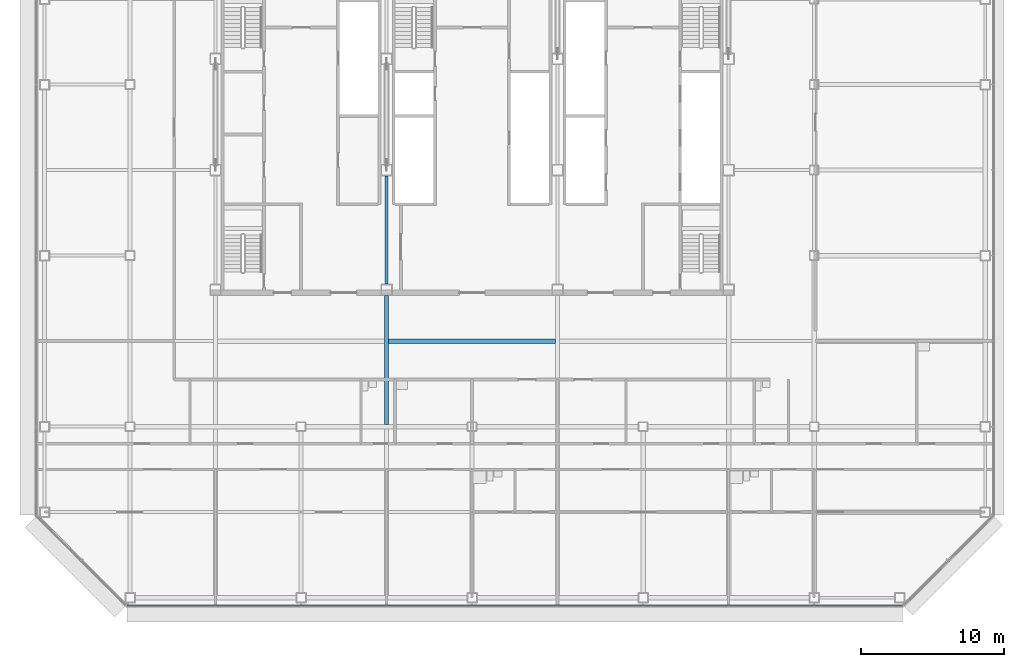
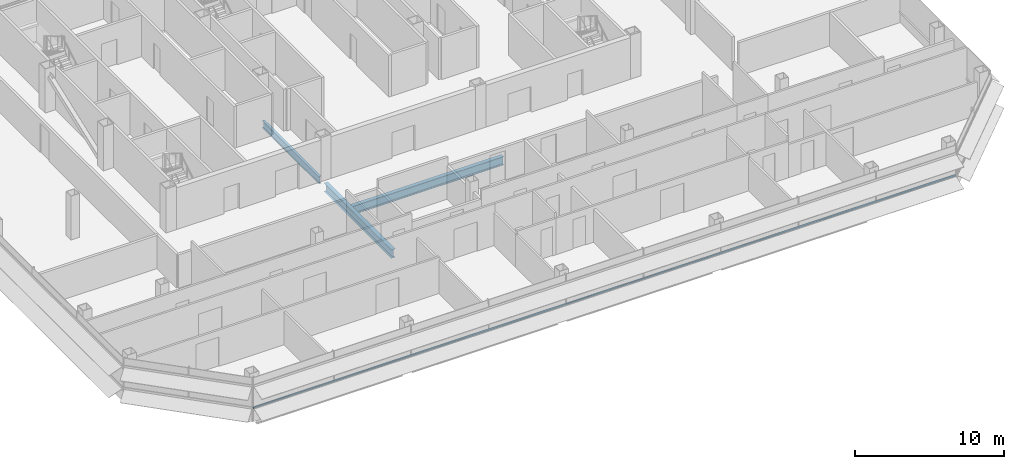
# One storey, part 7 of 24: 3 beams, 1 member, 1 element without a shape of its own.
"""IFC4 building model written with IfcOpenShell, lengths in metres."""

from ifc_helpers import new_model, si_unit, direction, frame, origin, origin_2d, place, context, subcontext, project, spatial, rectangle, i_section, extrude, material, material_profile, profile_set, type_object, element, aggregate, save


model = new_model("IFC4")

# Units and contexts
model_context = context("Model", 3, precision=1e-05, world=origin(), true_north=direction((0.0, 1.0)))
body_context = subcontext(model_context, "Body", "Model", "MODEL_VIEW")
ifc_project = project(units=[si_unit("LENGTHUNIT", "METRE"), si_unit("AREAUNIT", "SQUARE_METRE"), si_unit("VOLUMEUNIT", "CUBIC_METRE"), si_unit("PLANEANGLEUNIT", "RADIAN"), si_unit("MASSUNIT", "GRAM", prefix="KILO")], contexts=[model_context])

# Site, building, storey
site_placement = place(None, origin())
site = spatial("IfcSite", under=ifc_project, at=site_placement, CompositionType="ELEMENT")
building_placement = place(site_placement, origin())
building = spatial("IfcBuilding", under=site, at=building_placement, Name="Sorahane Residences", CompositionType="ELEMENT")
storey_placement = place(building_placement, frame((0.0, 0.0, 174.39990234375)))
storey = spatial("IfcBuildingStorey", under=building, at=storey_placement, Name="L40", CompositionType="ELEMENT", Elevation=174.39990234375)

# Curtain wall, member
ifc_material_1 = material(Name="Dark low-e glass and black anodised aluminium", Category="aluminium")
curtain_wall_type = type_object("IfcCurtainWallType", Name="Curtain wall CW-1 Typical unitised wall", PredefinedType="NOTDEFINED", material=ifc_material_1)
curtain_wall_placement = place(storey_placement, origin())
curtain_wall = element("IfcCurtainWall", 1, at=curtain_wall_placement, inside=storey, type_object=curtain_wall_type, Name="CW-1 curtain wall L40 S1", PredefinedType="NOTDEFINED")
ifc_material_2 = material(Name="Black anodised aluminium", Category="aluminium")
ifc_material_profile_1 = material_profile(ifc_material_2, rectangle(XDim=0.10009765625, YDim=0.06005859375, at=origin_2d()), Name="Curtain wall transom CW-1 black anodised aluminium 60x100")
ifc_profile_set_1 = profile_set([ifc_material_profile_1], Name="Black anodised aluminium")
member_type = type_object("IfcMemberType", Name="Curtain wall transom CW-1 black anodised aluminium 60x100", PredefinedType="USERDEFINED", material=ifc_profile_set_1)
member_placement = place(storey_placement, frame((-0.198486328125, -0.530029296875, 0.900146484375), z_axis=(1.0, 0.0, 0.0), x_axis=(0.0, 1.0, 0.0)))
member = element("IfcMember", 2, at=member_placement, type_object=member_type, Name="CW-1 transom L40 S1", ObjectType="TRANSOM", PredefinedType="USERDEFINED", context=body_context, shape_type="SweptSolid", body=[
    extrude(rectangle(XDim=0.10009765625, YDim=0.06005859375, at=origin_2d()), origin(), (0.0, 0.0, 1.0), 54.39697265625),
])
aggregate(curtain_wall, [member])

# Beams
ifc_material_3 = material(Name="Steel Q355B", Category="steel")
ifc_material_profile_2 = material_profile(ifc_material_3, i_section(OverallWidth=0.199951171875, OverallDepth=0.60009765625, WebThickness=0.010986328125, FlangeThickness=0.01708984375, FilletRadius=0.02392578125, at=origin_2d()), Name="HN 600x200x11x17")
ifc_profile_set_2 = profile_set([ifc_material_profile_2], Name="Steel Q355B")
beam_type_1 = type_object("IfcBeamType", Name="Steel floor beam HN 600x200x11x17 Q355B", PredefinedType="BEAM", material=ifc_profile_set_2)
beam_1_placement = place(storey_placement, frame((18.0, 22.0, -0.47998046875), z_axis=(0.0, 1.0, 0.0), x_axis=(-1.0, 0.0, 0.0)))
element("IfcBeam", 3, at=beam_1_placement, inside=storey, type_object=beam_type_1, Name="Beam L40 038", PredefinedType="BEAM", context=body_context, shape_type="SweptSolid", body=[
    extrude(i_section(OverallWidth=0.199951171875, OverallDepth=0.60009765625, WebThickness=0.010986328125, FlangeThickness=0.01708984375, FilletRadius=0.02392578125, at=origin_2d()), origin(), (0.0, 0.0, 1.0), 7.60009765625),
])
ifc_material_4 = material(Name="Steel Q355B", Category="steel")
ifc_material_profile_3 = material_profile(ifc_material_4, i_section(OverallWidth=0.300048828125, OverallDepth=0.699951171875, WebThickness=0.012939453125, FlangeThickness=0.02392578125, FilletRadius=0.028076171875, at=origin_2d()), Name="HN 700x300x13x24")
ifc_profile_set_3 = profile_set([ifc_material_profile_3], Name="Steel Q355B")
beam_type_2 = type_object("IfcBeamType", Name="Steel floor beam HN 700x300x13x24 Q355B", PredefinedType="BEAM", material=ifc_profile_set_3)
beam_2_placement = place(storey_placement, frame((18.0, 12.14990234375, -0.52978515625), z_axis=(0.0, 1.0, 0.0), x_axis=(-1.0, 0.0, 0.0)))
element("IfcBeam", 4, at=beam_2_placement, inside=storey, type_object=beam_type_2, Name="Beam L40 037", PredefinedType="BEAM", context=body_context, shape_type="SweptSolid", body=[
    extrude(i_section(OverallWidth=0.300048828125, OverallDepth=0.699951171875, WebThickness=0.012939453125, FlangeThickness=0.02392578125, FilletRadius=0.028076171875, at=origin_2d()), origin(), (0.0, 0.0, 1.0), 9.050048828125),
])
beam_3_placement = place(storey_placement, frame((18.14990234375, 18.0, -0.52978515625), z_axis=(1.0, 0.0, 0.0), x_axis=(0.0, 1.0, 0.0)))
element("IfcBeam", 5, at=beam_3_placement, inside=storey, type_object=beam_type_2, Name="Beam L40 081", PredefinedType="BEAM", context=body_context, shape_type="SweptSolid", body=[
    extrude(i_section(OverallWidth=0.300048828125, OverallDepth=0.699951171875, WebThickness=0.012939453125, FlangeThickness=0.02392578125, FilletRadius=0.028076171875, at=origin_2d()), origin(), (0.0, 0.0, 1.0), 11.7001953125),
])

save(model, "model.ifc")
